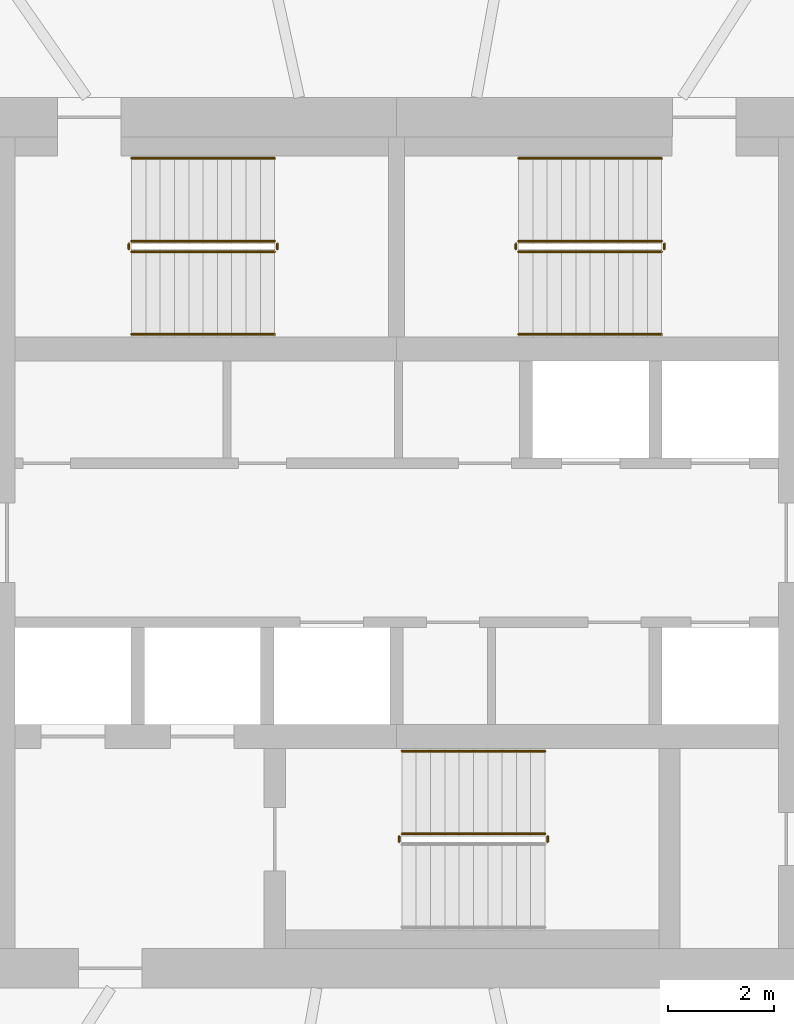
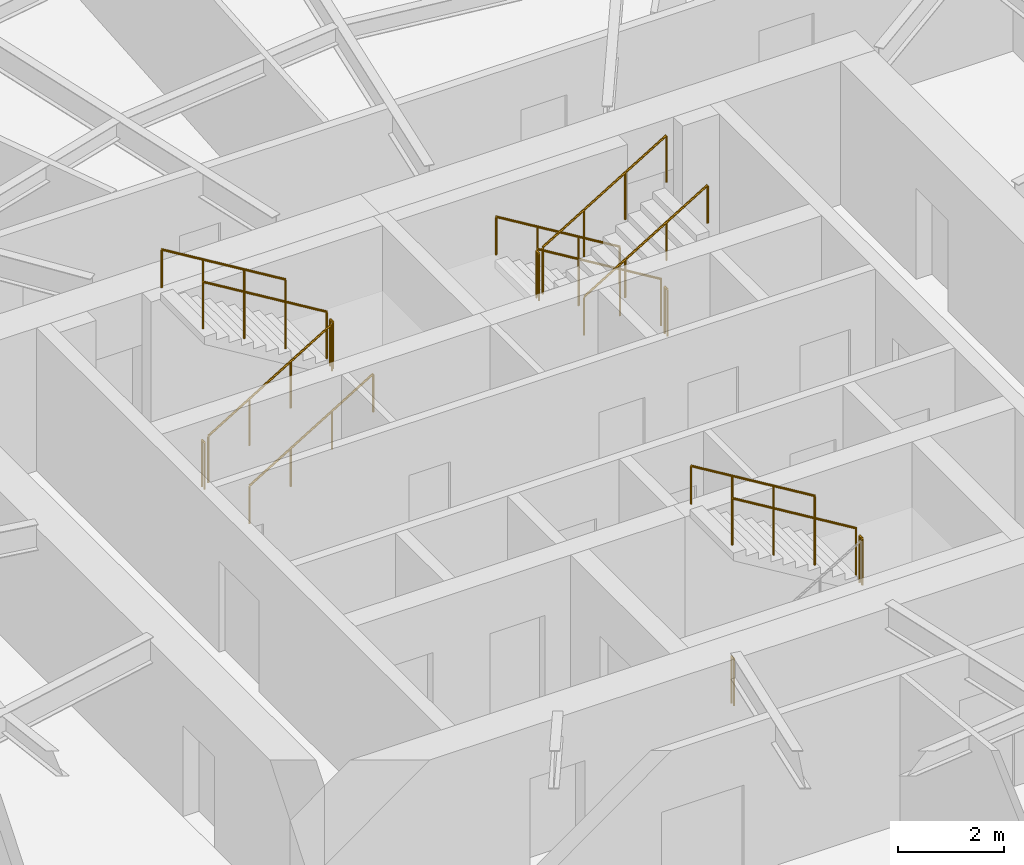
# One storey, part 13 of 14: 16 railings.
"""IFC4 building model written with IfcOpenShell, lengths in metres."""

from ifc_helpers import new_model, si_unit, direction, frame, origin, origin_2d, place, context, subcontext, project, spatial, circle, extrude, material, type_object, element, save


model = new_model("IFC4")

# Units and contexts
model_context = context("Model", 3, precision=1e-05, world=origin(), true_north=direction((0.0, 1.0)))
body_context = subcontext(model_context, "Body", "Model", "MODEL_VIEW")
ifc_project = project(units=[si_unit("LENGTHUNIT", "METRE"), si_unit("AREAUNIT", "SQUARE_METRE"), si_unit("VOLUMEUNIT", "CUBIC_METRE"), si_unit("PLANEANGLEUNIT", "RADIAN"), si_unit("MASSUNIT", "GRAM", prefix="KILO")], contexts=[model_context])

# Site, building, storey
site_placement = place(None, origin())
site = spatial("IfcSite", under=ifc_project, at=site_placement, CompositionType="ELEMENT")
building_placement = place(site_placement, origin())
building = spatial("IfcBuilding", under=site, at=building_placement, Name="Vermilion Reach Broadcast Tower", CompositionType="ELEMENT")
storey_placement = place(building_placement, frame((0.0, 0.0, 224.5)))
storey = spatial("IfcBuildingStorey", under=building, at=storey_placement, Name="L55", CompositionType="ELEMENT", Elevation=224.5)

# Railings
ifc_material_1 = material(Name="Stainless steel", Category="steel")
railing_type_1 = type_object("IfcRailingType", Name="Stair guard 1100", PredefinedType="GUARDRAIL", material=ifc_material_1)
railing_1_placement = place(storey_placement, frame((-11.0, 5.489990234375, 0.16357421875)))
element("IfcRailing", 1, at=railing_1_placement, inside=storey, type_object=railing_type_1, Name="L55 ST1 stair guard 1", PredefinedType="GUARDRAIL", context=body_context, shape_type="SweptSolid", body=[
    extrude(circle(Radius=0.02392578125, at=origin_2d()), frame((0.0, 0.0, 1.076171875), z_axis=(0.855178096276, 0.0, 0.518334277904), x_axis=(0.0, 1.0, 0.0)), (0.0, 0.0, 1.0), 3.1572265625),
    extrude(circle(Radius=0.02099609375, at=origin_2d()), origin(), (0.0, 0.0, 1.0), 1.052001953125),
    extrude(circle(Radius=0.02099609375, at=origin_2d()), frame((0.89990234375, 0.0, 0.54541015625)), (0.0, 0.0, 1.0), 1.052001953125),
    extrude(circle(Radius=0.02099609375, at=origin_2d()), frame((1.800048828125, 0.0, 1.091064453125)), (0.0, 0.0, 1.0), 1.052001953125),
    extrude(circle(Radius=0.02099609375, at=origin_2d()), frame((2.699951171875, 0.0, 1.636474609375)), (0.0, 0.0, 1.0), 1.052001953125),
])
railing_2_placement = place(storey_placement, frame((-8.25, 5.5400390625, 1.800048828125)))
element("IfcRailing", 2, at=railing_2_placement, inside=storey, type_object=railing_type_1, Name="L55 ST1 stair guard 2", PredefinedType="GUARDRAIL", context=body_context, shape_type="SweptSolid", body=[
    extrude(circle(Radius=0.02392578125, at=origin_2d()), frame((0.0, 0.0, 1.076171875), z_axis=(0.0, 1.0, 0.0), x_axis=(-1.0, 0.0, 0.0)), (0.0, 0.0, 1.0), 0.099853515625),
    extrude(circle(Radius=0.02099609375, at=origin_2d()), origin(), (0.0, 0.0, 1.0), 1.052001953125),
    extrude(circle(Radius=0.02099609375, at=origin_2d()), frame((0.0, 0.099853515625, 0.0)), (0.0, 0.0, 1.0), 1.052001953125),
])
railing_3_placement = place(storey_placement, frame((-8.300048828125, 5.68994140625, 1.963623046875)))
element("IfcRailing", 3, at=railing_3_placement, inside=storey, type_object=railing_type_1, Name="L55 ST1 stair guard 3", PredefinedType="GUARDRAIL", context=body_context, shape_type="SweptSolid", body=[
    extrude(circle(Radius=0.02392578125, at=origin_2d()), frame((0.0, 0.0, 1.076171875), z_axis=(-0.855178096276, 0.0, 0.518334277904), x_axis=(0.0, -1.0, 0.0)), (0.0, 0.0, 1.0), 3.1572265625),
    extrude(circle(Radius=0.02099609375, at=origin_2d()), origin(), (0.0, 0.0, 1.0), 1.052001953125),
    extrude(circle(Radius=0.02099609375, at=origin_2d()), frame((-0.89990234375, 0.0, 0.54541015625)), (0.0, 0.0, 1.0), 1.052001953125),
    extrude(circle(Radius=0.02099609375, at=origin_2d()), frame((-1.800048828125, 0.0, 1.091064453125)), (0.0, 0.0, 1.0), 1.052001953125),
    extrude(circle(Radius=0.02099609375, at=origin_2d()), frame((-2.699951171875, 0.0, 1.636474609375)), (0.0, 0.0, 1.0), 1.052001953125),
])
railing_4_placement = place(storey_placement, frame((-11.050048828125, 5.5400390625, 0.0)))
element("IfcRailing", 4, at=railing_4_placement, inside=storey, type_object=railing_type_1, Name="L55 ST1 stair guard 4", PredefinedType="GUARDRAIL", context=body_context, shape_type="SweptSolid", body=[
    extrude(circle(Radius=0.02392578125, at=origin_2d()), frame((0.0, 0.0, 1.076171875), z_axis=(0.0, 1.0, 0.0), x_axis=(-1.0, 0.0, 0.0)), (0.0, 0.0, 1.0), 0.099853515625),
    extrude(circle(Radius=0.02099609375, at=origin_2d()), origin(), (0.0, 0.0, 1.0), 1.052001953125),
    extrude(circle(Radius=0.02099609375, at=origin_2d()), frame((0.0, 0.099853515625, 0.0)), (0.0, 0.0, 1.0), 1.052001953125),
])
railing_5_placement = place(storey_placement, frame((-1.0, 5.68994140625, 0.16357421875)))
element("IfcRailing", 5, at=railing_5_placement, inside=storey, type_object=railing_type_1, Name="L55 ST2 stair guard 1", PredefinedType="GUARDRAIL", context=body_context, shape_type="SweptSolid", body=[
    extrude(circle(Radius=0.02392578125, at=origin_2d()), frame((0.0, 0.0, 1.076171875), z_axis=(-0.855178096276, 0.0, 0.518334277904), x_axis=(0.0, -1.0, 0.0)), (0.0, 0.0, 1.0), 3.1572265625),
    extrude(circle(Radius=0.02099609375, at=origin_2d()), origin(), (0.0, 0.0, 1.0), 1.052001953125),
    extrude(circle(Radius=0.02099609375, at=origin_2d()), frame((-0.89990234375, 0.0, 0.54541015625)), (0.0, 0.0, 1.0), 1.052001953125),
    extrude(circle(Radius=0.02099609375, at=origin_2d()), frame((-1.800048828125, 0.0, 1.091064453125)), (0.0, 0.0, 1.0), 1.052001953125),
    extrude(circle(Radius=0.02099609375, at=origin_2d()), frame((-2.699951171875, 0.0, 1.636474609375)), (0.0, 0.0, 1.0), 1.052001953125),
])
railing_6_placement = place(storey_placement, frame((-3.75, 5.639892578125, 1.800048828125)))
element("IfcRailing", 6, at=railing_6_placement, inside=storey, type_object=railing_type_1, Name="L55 ST2 stair guard 2", PredefinedType="GUARDRAIL", context=body_context, shape_type="SweptSolid", body=[
    extrude(circle(Radius=0.02392578125, at=origin_2d()), frame((0.0, 0.0, 1.076171875), z_axis=(0.0, -1.0, 0.0), x_axis=(1.0, 0.0, 0.0)), (0.0, 0.0, 1.0), 0.099853515625),
    extrude(circle(Radius=0.02099609375, at=origin_2d()), origin(), (0.0, 0.0, 1.0), 1.052001953125),
    extrude(circle(Radius=0.02099609375, at=origin_2d()), frame((0.0, -0.099853515625, 0.0)), (0.0, 0.0, 1.0), 1.052001953125),
])
railing_7_placement = place(storey_placement, frame((-3.699951171875, 5.489990234375, 1.963623046875)))
element("IfcRailing", 7, at=railing_7_placement, inside=storey, type_object=railing_type_1, Name="L55 ST2 stair guard 3", PredefinedType="GUARDRAIL", context=body_context, shape_type="SweptSolid", body=[
    extrude(circle(Radius=0.02392578125, at=origin_2d()), frame((0.0, 0.0, 1.076171875), z_axis=(0.855178096276, 0.0, 0.518334277904), x_axis=(0.0, 1.0, 0.0)), (0.0, 0.0, 1.0), 3.1572265625),
    extrude(circle(Radius=0.02099609375, at=origin_2d()), origin(), (0.0, 0.0, 1.0), 1.052001953125),
    extrude(circle(Radius=0.02099609375, at=origin_2d()), frame((0.89990234375, 0.0, 0.54541015625)), (0.0, 0.0, 1.0), 1.052001953125),
    extrude(circle(Radius=0.02099609375, at=origin_2d()), frame((1.800048828125, 0.0, 1.091064453125)), (0.0, 0.0, 1.0), 1.052001953125),
    extrude(circle(Radius=0.02099609375, at=origin_2d()), frame((2.699951171875, 0.0, 1.636474609375)), (0.0, 0.0, 1.0), 1.052001953125),
])
railing_8_placement = place(storey_placement, frame((-0.949951171875, 5.639892578125, 0.0)))
element("IfcRailing", 8, at=railing_8_placement, inside=storey, type_object=railing_type_1, Name="L55 ST2 stair guard 4", PredefinedType="GUARDRAIL", context=body_context, shape_type="SweptSolid", body=[
    extrude(circle(Radius=0.02392578125, at=origin_2d()), frame((0.0, 0.0, 1.076171875), z_axis=(0.0, -1.0, 0.0), x_axis=(1.0, 0.0, 0.0)), (0.0, 0.0, 1.0), 0.099853515625),
    extrude(circle(Radius=0.02099609375, at=origin_2d()), origin(), (0.0, 0.0, 1.0), 1.052001953125),
    extrude(circle(Radius=0.02099609375, at=origin_2d()), frame((0.0, -0.099853515625, 0.0)), (0.0, 0.0, 1.0), 1.052001953125),
])
railing_9_placement = place(storey_placement, frame((-3.14990234375, -5.639892578125, 1.800048828125)))
element("IfcRailing", 9, at=railing_9_placement, inside=storey, type_object=railing_type_1, Name="L55 ST3 stair guard 2", PredefinedType="GUARDRAIL", context=body_context, shape_type="SweptSolid", body=[
    extrude(circle(Radius=0.02392578125, at=origin_2d()), frame((0.0, 0.0, 1.076171875), z_axis=(0.0, 1.0, 0.0), x_axis=(-1.0, 0.0, 0.0)), (0.0, 0.0, 1.0), 0.099853515625),
    extrude(circle(Radius=0.02099609375, at=origin_2d()), origin(), (0.0, 0.0, 1.0), 1.052001953125),
    extrude(circle(Radius=0.02099609375, at=origin_2d()), frame((0.0, 0.099853515625, 0.0)), (0.0, 0.0, 1.0), 1.052001953125),
])
railing_10_placement = place(storey_placement, frame((-3.199951171875, -5.489990234375, 1.963623046875)))
element("IfcRailing", 10, at=railing_10_placement, inside=storey, type_object=railing_type_1, Name="L55 ST3 stair guard 3", PredefinedType="GUARDRAIL", context=body_context, shape_type="SweptSolid", body=[
    extrude(circle(Radius=0.02392578125, at=origin_2d()), frame((0.0, 0.0, 1.076171875), z_axis=(-0.855178096276, 0.0, 0.518334277904), x_axis=(0.0, -1.0, 0.0)), (0.0, 0.0, 1.0), 3.1572265625),
    extrude(circle(Radius=0.02099609375, at=origin_2d()), origin(), (0.0, 0.0, 1.0), 1.052001953125),
    extrude(circle(Radius=0.02099609375, at=origin_2d()), frame((-0.89990234375, 0.0, 0.54541015625)), (0.0, 0.0, 1.0), 1.052001953125),
    extrude(circle(Radius=0.02099609375, at=origin_2d()), frame((-1.800048828125, 0.0, 1.091064453125)), (0.0, 0.0, 1.0), 1.052001953125),
    extrude(circle(Radius=0.02099609375, at=origin_2d()), frame((-2.699951171875, 0.0, 1.636474609375)), (0.0, 0.0, 1.0), 1.052001953125),
])
railing_11_placement = place(storey_placement, frame((-5.949951171875, -5.639892578125, 0.0)))
element("IfcRailing", 11, at=railing_11_placement, inside=storey, type_object=railing_type_1, Name="L55 ST3 stair guard 4", PredefinedType="GUARDRAIL", context=body_context, shape_type="SweptSolid", body=[
    extrude(circle(Radius=0.02392578125, at=origin_2d()), frame((0.0, 0.0, 1.076171875), z_axis=(0.0, 1.0, 0.0), x_axis=(-1.0, 0.0, 0.0)), (0.0, 0.0, 1.0), 0.099853515625),
    extrude(circle(Radius=0.02099609375, at=origin_2d()), origin(), (0.0, 0.0, 1.0), 1.052001953125),
    extrude(circle(Radius=0.02099609375, at=origin_2d()), frame((0.0, 0.099853515625, 0.0)), (0.0, 0.0, 1.0), 1.052001953125),
])
ifc_material_2 = material(Name="Stainless steel", Category="steel")
railing_type_2 = type_object("IfcRailingType", Name="Stair handrail", PredefinedType="HANDRAIL", material=ifc_material_2)
railing_12_placement = place(storey_placement, frame((-11.0, 3.929931640625, 0.16357421875)))
element("IfcRailing", 12, at=railing_12_placement, inside=storey, type_object=railing_type_2, Name="L55 ST1 stair handrail 1", PredefinedType="HANDRAIL", context=body_context, shape_type="SweptSolid", body=[
    extrude(circle(Radius=0.02392578125, at=origin_2d()), frame((0.0, 0.0, 0.8759765625), z_axis=(0.855178096276, 0.0, 0.518334277904), x_axis=(0.0, 1.0, 0.0)), (0.0, 0.0, 1.0), 3.1572265625),
    extrude(circle(Radius=0.02099609375, at=origin_2d()), origin(), (0.0, 0.0, 1.0), 0.851806640625),
    extrude(circle(Radius=0.02099609375, at=origin_2d()), frame((0.89990234375, 0.0, 0.54541015625)), (0.0, 0.0, 1.0), 0.851806640625),
    extrude(circle(Radius=0.02099609375, at=origin_2d()), frame((1.800048828125, 0.0, 1.091064453125)), (0.0, 0.0, 1.0), 0.851806640625),
    extrude(circle(Radius=0.02099609375, at=origin_2d()), frame((2.699951171875, 0.0, 1.636474609375)), (0.0, 0.0, 1.0), 0.851806640625),
])
for number, where, name in (
    (13, (-8.300048828125, 7.25, 1.963623046875), "L55 ST1 stair handrail 2"),
    (14, (-1.0, 7.25, 0.16357421875), "L55 ST2 stair handrail 1"),
):
    element("IfcRailing", number, at=place(storey_placement, frame(where)), inside=storey, type_object=railing_type_2, Name=name, PredefinedType="HANDRAIL", context=body_context, shape_type="SweptSolid", body=[
        extrude(circle(Radius=0.02392578125, at=origin_2d()), frame((0.0, 0.0, 0.8759765625), z_axis=(-0.855178096276, 0.0, 0.518334277904), x_axis=(0.0, -1.0, 0.0)), (0.0, 0.0, 1.0), 3.1572265625),
        extrude(circle(Radius=0.02099609375, at=origin_2d()), origin(), (0.0, 0.0, 1.0), 0.851806640625),
        extrude(circle(Radius=0.02099609375, at=origin_2d()), frame((-0.89990234375, 0.0, 0.54541015625)), (0.0, 0.0, 1.0), 0.851806640625),
        extrude(circle(Radius=0.02099609375, at=origin_2d()), frame((-1.800048828125, 0.0, 1.091064453125)), (0.0, 0.0, 1.0), 0.851806640625),
        extrude(circle(Radius=0.02099609375, at=origin_2d()), frame((-2.699951171875, 0.0, 1.636474609375)), (0.0, 0.0, 1.0), 0.851806640625),
    ])
railing_13_placement = place(storey_placement, frame((-3.699951171875, 3.929931640625, 1.963623046875)))
element("IfcRailing", 15, at=railing_13_placement, inside=storey, type_object=railing_type_2, Name="L55 ST2 stair handrail 2", PredefinedType="HANDRAIL", context=body_context, shape_type="SweptSolid", body=[
    extrude(circle(Radius=0.02392578125, at=origin_2d()), frame((0.0, 0.0, 0.8759765625), z_axis=(0.855178096276, 0.0, 0.518334277904), x_axis=(0.0, 1.0, 0.0)), (0.0, 0.0, 1.0), 3.1572265625),
    extrude(circle(Radius=0.02099609375, at=origin_2d()), origin(), (0.0, 0.0, 1.0), 0.851806640625),
    extrude(circle(Radius=0.02099609375, at=origin_2d()), frame((0.89990234375, 0.0, 0.54541015625)), (0.0, 0.0, 1.0), 0.851806640625),
    extrude(circle(Radius=0.02099609375, at=origin_2d()), frame((1.800048828125, 0.0, 1.091064453125)), (0.0, 0.0, 1.0), 0.851806640625),
    extrude(circle(Radius=0.02099609375, at=origin_2d()), frame((2.699951171875, 0.0, 1.636474609375)), (0.0, 0.0, 1.0), 0.851806640625),
])
railing_14_placement = place(storey_placement, frame((-3.199951171875, -3.929931640625, 1.963623046875)))
element("IfcRailing", 16, at=railing_14_placement, inside=storey, type_object=railing_type_2, Name="L55 ST3 stair handrail 2", PredefinedType="HANDRAIL", context=body_context, shape_type="SweptSolid", body=[
    extrude(circle(Radius=0.02392578125, at=origin_2d()), frame((0.0, 0.0, 0.8759765625), z_axis=(-0.855178096276, 0.0, 0.518334277904), x_axis=(0.0, -1.0, 0.0)), (0.0, 0.0, 1.0), 3.1572265625),
    extrude(circle(Radius=0.02099609375, at=origin_2d()), origin(), (0.0, 0.0, 1.0), 0.851806640625),
    extrude(circle(Radius=0.02099609375, at=origin_2d()), frame((-0.89990234375, 0.0, 0.54541015625)), (0.0, 0.0, 1.0), 0.851806640625),
    extrude(circle(Radius=0.02099609375, at=origin_2d()), frame((-1.800048828125, 0.0, 1.091064453125)), (0.0, 0.0, 1.0), 0.851806640625),
    extrude(circle(Radius=0.02099609375, at=origin_2d()), frame((-2.699951171875, 0.0, 1.636474609375)), (0.0, 0.0, 1.0), 0.851806640625),
])

save(model, "model.ifc")
